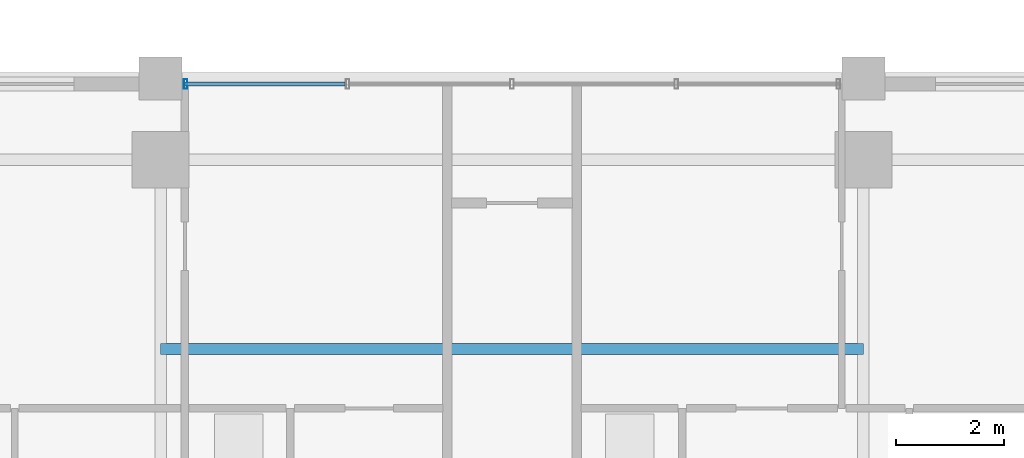
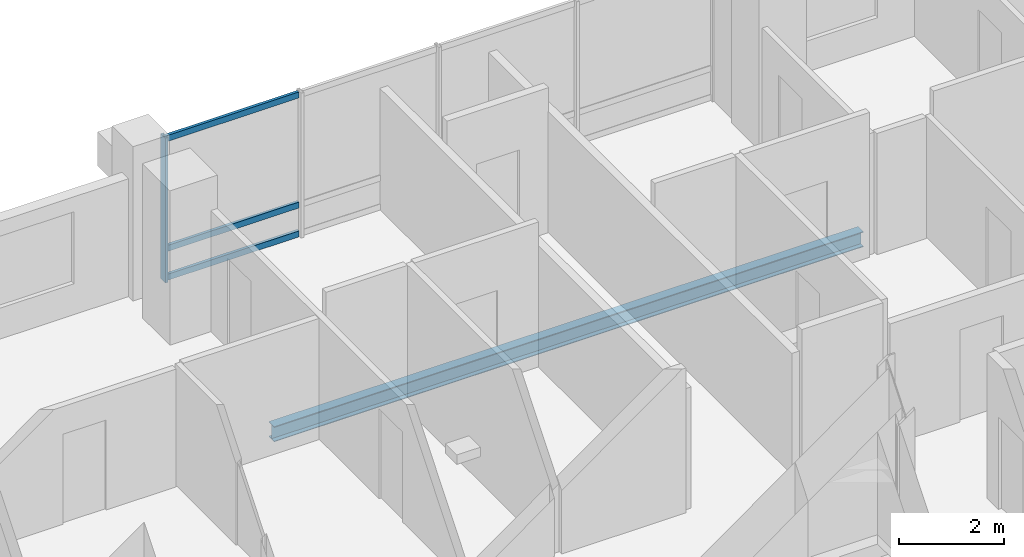
# One storey, part 13 of 24: 4 members, 1 beam, 1 element without a shape of its own.
"""IFC4 building model written with IfcOpenShell, lengths in metres."""

from ifc_helpers import new_model, si_unit, direction, frame, origin, origin_2d, place, context, subcontext, project, spatial, hollow_rectangle, i_section, extrude, material, layer, layer_set, material_profile, profile_set, type_object, element, aggregate, save


model = new_model("IFC4")

# Units and contexts
model_context = context("Model", 3, precision=1e-05, world=origin(), true_north=direction((0.0, 1.0)))
body_context = subcontext(model_context, "Body", "Model", "MODEL_VIEW")
ifc_project = project(units=[si_unit("LENGTHUNIT", "METRE"), si_unit("AREAUNIT", "SQUARE_METRE"), si_unit("VOLUMEUNIT", "CUBIC_METRE"), si_unit("PLANEANGLEUNIT", "RADIAN"), si_unit("MASSUNIT", "GRAM", prefix="KILO")], contexts=[model_context])

# Site, building, storey
site_placement = place(None, origin())
site = spatial("IfcSite", under=ifc_project, at=site_placement, CompositionType="ELEMENT")
building_placement = place(site_placement, origin())
building = spatial("IfcBuilding", under=site, at=building_placement, Name="Barlavira Tower and Art Museum", CompositionType="ELEMENT")
storey_placement = place(building_placement, frame((0.0, 0.0, 190.800048828125)))
storey = spatial("IfcBuildingStorey", under=building, at=storey_placement, Name="L49", CompositionType="ELEMENT", Elevation=190.800048828125)

# Curtain wall, members
ifc_material_1 = material(Name="Low-iron coastal laminated glass", Category="glass")
ifc_layer = layer(ifc_material_1, 0.199951171875, Name="Low-iron coastal laminated glass")
ifc_layer_set = layer_set([ifc_layer], Name="Low-iron coastal laminated glass")
curtain_wall_type = type_object("IfcCurtainWallType", Name="Pale-Metal Unitised Curtain Wall Zone 3", PredefinedType="NOTDEFINED", material=ifc_layer_set)
curtain_wall_placement = place(storey_placement, origin())
curtain_wall = element("IfcCurtainWall", 1, at=curtain_wall_placement, inside=storey, type_object=curtain_wall_type, Name="L49 Curtain Wall CW3-L49-N-B3", PredefinedType="NOTDEFINED")
ifc_material_2 = material(Name="Pale anodised aluminium", Category="aluminium")
ifc_material_profile_1 = material_profile(ifc_material_2, hollow_rectangle(XDim=0.06494140625, YDim=0.179931640625, WallThickness=0.00390625, at=origin_2d()), Name="ALU-MULL 65x180x4")
ifc_profile_set_1 = profile_set([ifc_material_profile_1], Name="Pale anodised aluminium")
member_type_1 = type_object("IfcMemberType", Name="Curtain Wall Pale-Metal Mullion 65x180", PredefinedType="MULLION", material=ifc_profile_set_1)
member_1_placement = place(storey_placement, frame((-6.034912109375, 21.39990234375, 0.0), z_axis=(0.0, 0.0, 1.0), x_axis=(-1.0, 0.0, 0.0)))
member_1 = element("IfcMember", 2, at=member_1_placement, type_object=member_type_1, Name="CW3-L49-N-B3 Mullion 4", PredefinedType="MULLION", context=body_context, shape_type="SweptSolid", body=[
    extrude(hollow_rectangle(XDim=0.06494140625, YDim=0.179931640625, WallThickness=0.00390625, at=origin_2d()), origin(), (0.0, 0.0, 1.0), 3.3798828125),
])
ifc_material_profile_2 = material_profile(ifc_material_2, hollow_rectangle(XDim=0.06494140625, YDim=0.139892578125, WallThickness=0.00390625, at=origin_2d()), Name="ALU-TRAN 65x140x4")
ifc_profile_set_2 = profile_set([ifc_material_profile_2], Name="Pale anodised aluminium")
member_type_2 = type_object("IfcMemberType", Name="Curtain Wall Pale-Metal Transom 65x140", PredefinedType="USERDEFINED", material=ifc_profile_set_2)
member_2_placement = place(storey_placement, frame((-3.0849609375, 21.39990234375, 0.070068359375), z_axis=(-1.0, 0.0, 0.0), x_axis=(0.0, -1.0, 0.0)))
member_2 = element("IfcMember", 3, at=member_2_placement, type_object=member_type_2, Name="CW3-L49-N-B3 Transom 3.1", ObjectType="TRANSOM", PredefinedType="USERDEFINED", context=body_context, shape_type="SweptSolid", body=[
    extrude(hollow_rectangle(XDim=0.06494140625, YDim=0.139892578125, WallThickness=0.00390625, at=origin_2d()), origin(), (0.0, 0.0, 1.0), 2.949951171875),
])
member_3_placement = place(storey_placement, frame((-3.0849609375, 21.39990234375, 0.743896484375), z_axis=(-1.0, 0.0, 0.0), x_axis=(0.0, -1.0, 0.0)))
member_3 = element("IfcMember", 4, at=member_3_placement, type_object=member_type_2, Name="CW3-L49-N-B3 Transom 3.2", ObjectType="TRANSOM", PredefinedType="USERDEFINED", context=body_context, shape_type="SweptSolid", body=[
    extrude(hollow_rectangle(XDim=0.06494140625, YDim=0.139892578125, WallThickness=0.00390625, at=origin_2d()), origin(), (0.0, 0.0, 1.0), 2.949951171875),
])
member_4_placement = place(storey_placement, frame((-3.0849609375, 21.39990234375, 3.31005859375), z_axis=(-1.0, 0.0, 0.0), x_axis=(0.0, -1.0, 0.0)))
member_4 = element("IfcMember", 5, at=member_4_placement, type_object=member_type_2, Name="CW3-L49-N-B3 Transom 3.3", ObjectType="TRANSOM", PredefinedType="USERDEFINED", context=body_context, shape_type="SweptSolid", body=[
    extrude(hollow_rectangle(XDim=0.06494140625, YDim=0.139892578125, WallThickness=0.00390625, at=origin_2d()), origin(), (0.0, 0.0, 1.0), 2.949951171875),
])
aggregate(curtain_wall, [member_1, member_2, member_3, member_4])

# Beam
ifc_material_3 = material(Name="Steel S355", Category="steel")
ifc_material_profile_3 = material_profile(ifc_material_3, i_section(OverallWidth=0.205078125, OverallDepth=0.35400390625, WebThickness=0.009521484375, FlangeThickness=0.016845703125, at=origin_2d()), Name="W360x79.0")
ifc_profile_set_3 = profile_set([ifc_material_profile_3], Name="Steel S355")
beam_type = type_object("IfcBeamType", Name="Zone 3 Composite Floor Joist W360x79 Steel S355", PredefinedType="JOIST", material=ifc_profile_set_3)
beam_placement = place(storey_placement, frame((-6.5, 16.5, -0.39697265625), z_axis=(1.0, 0.0, 0.0), x_axis=(0.0, 1.0, 0.0)))
element("IfcBeam", 6, at=beam_placement, inside=storey, type_object=beam_type, Name="L49 Joist C2", PredefinedType="JOIST", context=body_context, shape_type="SweptSolid", body=[
    extrude(i_section(OverallWidth=0.205078125, OverallDepth=0.35400390625, WebThickness=0.009521484375, FlangeThickness=0.016845703125, at=origin_2d()), origin(), (0.0, 0.0, 1.0), 13.0),
])

save(model, "model.ifc")
